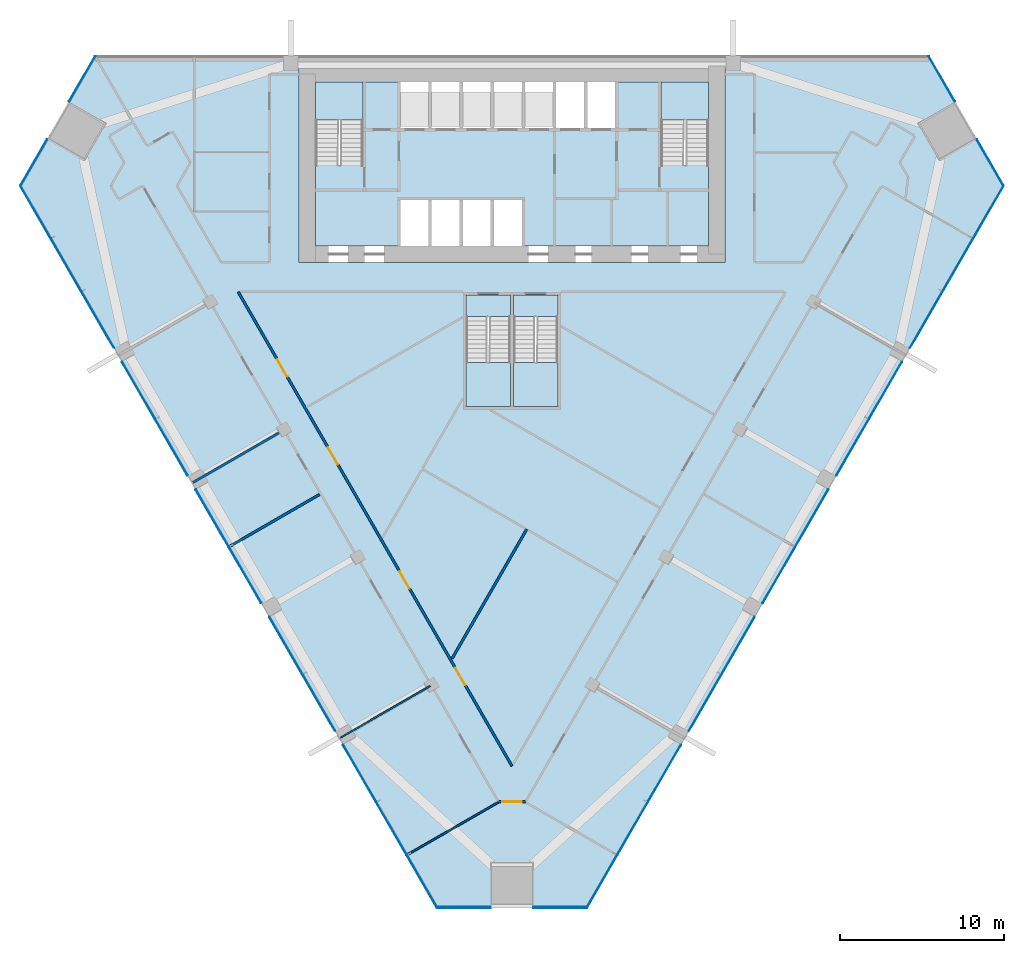
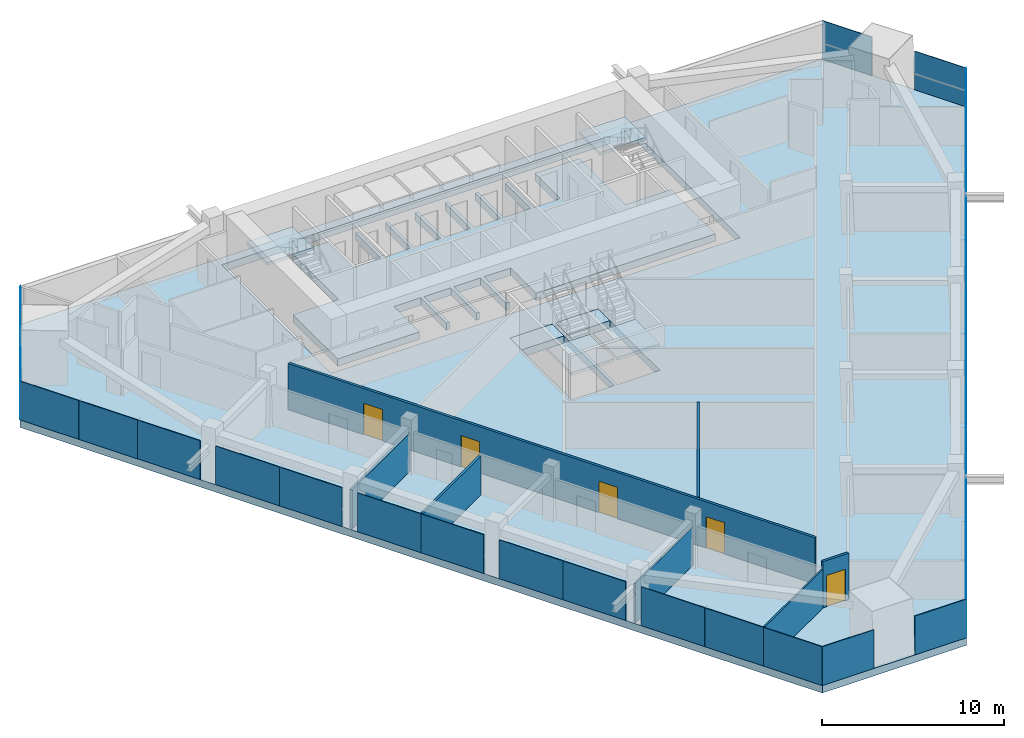
# One storey, part 8 of 13: 30 plates, 8 slabs, 7 walls, 5 doors, 5 openings, 9 elements without a shape of their own.
"""IFC4 building model written with IfcOpenShell, lengths in metres."""

from ifc_helpers import new_model, si_unit, direction, frame, frame_2d, origin, origin_2d, place, context, subcontext, project, spatial, polyline, rectangle, outline, extrude, material, layer, layer_set, type_object, element, fill, aggregate, save


model = new_model("IFC4")

# Units and contexts
model_context = context("Model", 3, precision=1e-05, world=origin(), true_north=direction((0.0, 1.0)))
body_context = subcontext(model_context, "Body", "Model", "MODEL_VIEW")
ifc_project = project(units=[si_unit("LENGTHUNIT", "METRE"), si_unit("AREAUNIT", "SQUARE_METRE"), si_unit("VOLUMEUNIT", "CUBIC_METRE"), si_unit("PLANEANGLEUNIT", "RADIAN"), si_unit("MASSUNIT", "GRAM", prefix="KILO")], contexts=[model_context])

# Site, building, storey
site_placement = place(None, origin())
site = spatial("IfcSite", under=ifc_project, at=site_placement, CompositionType="ELEMENT")
building_placement = place(site_placement, origin())
building = spatial("IfcBuilding", under=site, at=building_placement, Name="Altiplano Prism Tower", CompositionType="ELEMENT")
storey_placement = place(building_placement, frame((0.0, 0.0, 66.60009765625)))
storey = spatial("IfcBuildingStorey", under=building, at=storey_placement, Name="L16", CompositionType="ELEMENT", Elevation=66.60009765625)

# Curtain wall, plates
ifc_material_1 = material(Name="Aluminium and glass", Category="aluminium")
ifc_layer_1 = layer(ifc_material_1, 0.303955078125)
ifc_layer_set_1 = layer_set([ifc_layer_1], Name="Aluminium and glass")
curtain_wall_type = type_object("IfcCurtainWallType", Name="CW2 lounge-band unitised glazing", PredefinedType="NOTDEFINED", material=ifc_layer_set_1)
curtain_wall_1_placement = place(storey_placement, origin())
curtain_wall_1 = element("IfcCurtainWall", 1, at=curtain_wall_1_placement, inside=storey, type_object=curtain_wall_type, Name="CW2 curtain wall north-west chamfer L16", PredefinedType="NOTDEFINED")
ifc_material_2 = material(Name="Clear glass", Category="glass")
ifc_layer_2 = layer(ifc_material_2, 0.0439453125)
ifc_layer_set_2 = layer_set([ifc_layer_2], Name="Clear glass")
plate_type = type_object("IfcPlateType", Name="CW2 insulated glass unit 44", PredefinedType="CURTAIN_PANEL", material=ifc_layer_set_2)
plate_1_placement = place(storey_placement, frame((58.760009765625, 103.604736328125, -0.000244140625), z_axis=(0.0, 0.0, 1.0), x_axis=(-0.499999932693, -0.866025442644, 0.0)))
plate_1 = element("IfcPlate", 2, at=plate_1_placement, type_object=plate_type, Name="CW2 panel", PredefinedType="CURTAIN_PANEL", context=body_context, shape_type="SweptSolid", body=[
    extrude(rectangle(XDim=3.186767578125, YDim=0.0439453125, at=origin_2d()), origin(), (0.0, 0.0, 1.0), 2.60009765625),
])
plate_2_placement = place(storey_placement, frame((55.801513671875, 98.48095703125, -0.000244140625), z_axis=(0.0, 0.0, 1.0), x_axis=(-0.499999932693, -0.866025442644, 0.0)))
plate_2 = element("IfcPlate", 3, at=plate_2_placement, type_object=plate_type, Name="CW2 panel", PredefinedType="CURTAIN_PANEL", context=body_context, shape_type="SweptSolid", body=[
    extrude(rectangle(XDim=3.2666015625, YDim=0.0439453125, at=origin_2d()), origin(), (0.0, 0.0, 1.0), 2.60009765625),
])
aggregate(curtain_wall_1, [plate_1, plate_2])

curtain_wall_2_placement = place(storey_placement, origin())
curtain_wall_2 = element("IfcCurtainWall", 4, at=curtain_wall_2_placement, inside=storey, type_object=curtain_wall_type, Name="CW2 curtain wall south-west face L16", PredefinedType="NOTDEFINED")
plate_3_placement = place(storey_placement, frame((55.9150390625, 95.46875, -0.000244140625), z_axis=(0.0, 0.0, 1.0), x_axis=(0.499999990976, -0.866025408994, 0.0)))
plate_3 = element("IfcPlate", 5, at=plate_3_placement, type_object=plate_type, Name="CW2 panel", PredefinedType="CURTAIN_PANEL", context=body_context, shape_type="SweptSolid", body=[
    extrude(rectangle(XDim=3.719970703125, YDim=0.0439453125, at=origin_2d()), origin(), (0.0, 0.0, 1.0), 2.60009765625),
])
plate_4_placement = place(storey_placement, frame((57.780029296875, 92.238525390625, -0.000244140625), z_axis=(0.0, 0.0, 1.0), x_axis=(0.499999990976, -0.866025408994, 0.0)))
plate_4 = element("IfcPlate", 6, at=plate_4_placement, type_object=plate_type, Name="CW2 panel", PredefinedType="CURTAIN_PANEL", context=body_context, shape_type="SweptSolid", body=[
    extrude(rectangle(XDim=3.719970703125, YDim=0.0439453125, at=origin_2d()), origin(), (0.0, 0.0, 1.0), 2.60009765625),
])
plate_5_placement = place(storey_placement, frame((59.705078125, 88.904052734375, -0.000244140625), z_axis=(0.0, 0.0, 1.0), x_axis=(0.499999990976, -0.866025408994, 0.0)))
plate_5 = element("IfcPlate", 7, at=plate_5_placement, type_object=plate_type, Name="CW2 panel", PredefinedType="CURTAIN_PANEL", context=body_context, shape_type="SweptSolid", body=[
    extrude(rectangle(XDim=3.96044921875, YDim=0.0439453125, at=origin_2d()), origin(), (0.0, 0.0, 1.0), 2.60009765625),
])
plate_6_placement = place(storey_placement, frame((62.2001953125, 84.58251953125, -0.000244140625), z_axis=(0.0, 0.0, 1.0), x_axis=(0.499999990976, -0.866025408994, 0.0)))
plate_6 = element("IfcPlate", 8, at=plate_6_placement, type_object=plate_type, Name="CW2 panel", PredefinedType="CURTAIN_PANEL", context=body_context, shape_type="SweptSolid", body=[
    extrude(rectangle(XDim=4.039306640625, YDim=0.0439453125, at=origin_2d()), origin(), (0.0, 0.0, 1.0), 2.60009765625),
])
plate_7_placement = place(storey_placement, frame((64.205078125, 81.10986328125, -0.000244140625), z_axis=(0.0, 0.0, 1.0), x_axis=(0.499999990976, -0.866025408994, 0.0)))
plate_7 = element("IfcPlate", 9, at=plate_7_placement, type_object=plate_type, Name="CW2 panel", PredefinedType="CURTAIN_PANEL", context=body_context, shape_type="SweptSolid", body=[
    extrude(rectangle(XDim=3.96044921875, YDim=0.0439453125, at=origin_2d()), origin(), (0.0, 0.0, 1.0), 2.60009765625),
])
plate_8_placement = place(storey_placement, frame((66.7001953125, 76.788330078125, -0.000244140625), z_axis=(0.0, 0.0, 1.0), x_axis=(0.499999990976, -0.866025408994, 0.0)))
plate_8 = element("IfcPlate", 10, at=plate_8_placement, type_object=plate_type, Name="CW2 panel", PredefinedType="CURTAIN_PANEL", context=body_context, shape_type="SweptSolid", body=[
    extrude(rectangle(XDim=4.039306640625, YDim=0.0439453125, at=origin_2d()), origin(), (0.0, 0.0, 1.0), 2.60009765625),
])
plate_9_placement = place(storey_placement, frame((68.705078125, 73.315673828125, -0.000244140625), z_axis=(0.0, 0.0, 1.0), x_axis=(0.499999990976, -0.866025408994, 0.0)))
plate_9 = element("IfcPlate", 11, at=plate_9_placement, type_object=plate_type, Name="CW2 panel", PredefinedType="CURTAIN_PANEL", context=body_context, shape_type="SweptSolid", body=[
    extrude(rectangle(XDim=3.96044921875, YDim=0.0439453125, at=origin_2d()), origin(), (0.0, 0.0, 1.0), 2.60009765625),
])
plate_10_placement = place(storey_placement, frame((71.2001953125, 68.994140625, -0.000244140625), z_axis=(0.0, 0.0, 1.0), x_axis=(0.499999990976, -0.866025408994, 0.0)))
plate_10 = element("IfcPlate", 12, at=plate_10_placement, type_object=plate_type, Name="CW2 panel", PredefinedType="CURTAIN_PANEL", context=body_context, shape_type="SweptSolid", body=[
    extrude(rectangle(XDim=4.039306640625, YDim=0.0439453125, at=origin_2d()), origin(), (0.0, 0.0, 1.0), 2.60009765625),
])
plate_11_placement = place(storey_placement, frame((73.205078125, 65.521484375, -0.000244140625), z_axis=(0.0, 0.0, 1.0), x_axis=(0.499999990976, -0.866025408994, 0.0)))
plate_11 = element("IfcPlate", 13, at=plate_11_placement, type_object=plate_type, Name="CW2 panel", PredefinedType="CURTAIN_PANEL", context=body_context, shape_type="SweptSolid", body=[
    extrude(rectangle(XDim=3.96044921875, YDim=0.0439453125, at=origin_2d()), origin(), (0.0, 0.0, 1.0), 2.60009765625),
])
plate_12_placement = place(storey_placement, frame((75.7001953125, 61.199951171875, -0.000244140625), z_axis=(0.0, 0.0, 1.0), x_axis=(0.499999990976, -0.866025408994, 0.0)))
plate_12 = element("IfcPlate", 14, at=plate_12_placement, type_object=plate_type, Name="CW2 panel", PredefinedType="CURTAIN_PANEL", context=body_context, shape_type="SweptSolid", body=[
    extrude(rectangle(XDim=4.039306640625, YDim=0.0439453125, at=origin_2d()), origin(), (0.0, 0.0, 1.0), 2.60009765625),
])
plate_13_placement = place(storey_placement, frame((77.64501953125, 57.831298828125, -0.000244140625), z_axis=(0.0, 0.0, 1.0), x_axis=(0.499999990976, -0.866025408994, 0.0)))
plate_13 = element("IfcPlate", 15, at=plate_13_placement, type_object=plate_type, Name="CW2 panel", PredefinedType="CURTAIN_PANEL", context=body_context, shape_type="SweptSolid", body=[
    extrude(rectangle(XDim=3.719970703125, YDim=0.0439453125, at=origin_2d()), origin(), (0.0, 0.0, 1.0), 2.60009765625),
])
plate_14_placement = place(storey_placement, frame((79.510009765625, 54.60107421875, -0.000244140625), z_axis=(0.0, 0.0, 1.0), x_axis=(0.499999990976, -0.866025408994, 0.0)))
plate_14 = element("IfcPlate", 16, at=plate_14_placement, type_object=plate_type, Name="CW2 panel", PredefinedType="CURTAIN_PANEL", context=body_context, shape_type="SweptSolid", body=[
    extrude(rectangle(XDim=3.719970703125, YDim=0.0439453125, at=origin_2d()), origin(), (0.0, 0.0, 1.0), 2.60009765625),
])
aggregate(curtain_wall_2, [plate_3, plate_4, plate_5, plate_6, plate_7, plate_8, plate_9, plate_10, plate_11, plate_12, plate_13, plate_14])

curtain_wall_3_placement = place(storey_placement, origin())
curtain_wall_3 = element("IfcCurtainWall", 17, at=curtain_wall_3_placement, inside=storey, type_object=curtain_wall_type, Name="CW2 curtain wall south chamfer L16", PredefinedType="NOTDEFINED")
plate_15_placement = place(storey_placement, frame((82.061767578125, 52.9970703125, -0.000244140625), z_axis=(0.0, 0.0, 1.0), x_axis=(1.0, 0.0, 0.0)))
plate_15 = element("IfcPlate", 18, at=plate_15_placement, type_object=plate_type, Name="CW2 panel", PredefinedType="CURTAIN_PANEL", context=body_context, shape_type="SweptSolid", body=[
    extrude(rectangle(XDim=3.2666015625, YDim=0.0439453125, at=origin_2d()), origin(), (0.0, 0.0, 1.0), 2.60009765625),
])
plate_16_placement = place(storey_placement, frame((87.938232421875, 52.9970703125, -0.000244140625), z_axis=(0.0, 0.0, 1.0), x_axis=(1.0, 0.0, 0.0)))
plate_16 = element("IfcPlate", 19, at=plate_16_placement, type_object=plate_type, Name="CW2 panel", PredefinedType="CURTAIN_PANEL", context=body_context, shape_type="SweptSolid", body=[
    extrude(rectangle(XDim=3.2666015625, YDim=0.0439453125, at=origin_2d()), origin(), (0.0, 0.0, 1.0), 2.60009765625),
])
aggregate(curtain_wall_3, [plate_15, plate_16])

curtain_wall_4_placement = place(storey_placement, origin())
curtain_wall_4 = element("IfcCurtainWall", 20, at=curtain_wall_4_placement, inside=storey, type_object=curtain_wall_type, Name="CW2 curtain wall south-east face L16", PredefinedType="NOTDEFINED")
plate_17_placement = place(storey_placement, frame((90.489990234375, 54.60107421875, -0.000244140625), z_axis=(0.0, 0.0, 1.0), x_axis=(0.499999990976, 0.866025408994, 0.0)))
plate_17 = element("IfcPlate", 21, at=plate_17_placement, type_object=plate_type, Name="CW2 panel", PredefinedType="CURTAIN_PANEL", context=body_context, shape_type="SweptSolid", body=[
    extrude(rectangle(XDim=3.719970703125, YDim=0.0439453125, at=origin_2d()), origin(), (0.0, 0.0, 1.0), 2.60009765625),
])
plate_18_placement = place(storey_placement, frame((92.35498046875, 57.831298828125, -0.000244140625), z_axis=(0.0, 0.0, 1.0), x_axis=(0.499999990976, 0.866025408994, 0.0)))
plate_18 = element("IfcPlate", 22, at=plate_18_placement, type_object=plate_type, Name="CW2 panel", PredefinedType="CURTAIN_PANEL", context=body_context, shape_type="SweptSolid", body=[
    extrude(rectangle(XDim=3.719970703125, YDim=0.0439453125, at=origin_2d()), origin(), (0.0, 0.0, 1.0), 2.60009765625),
])
plate_19_placement = place(storey_placement, frame((94.2998046875, 61.199951171875, -0.000244140625), z_axis=(0.0, 0.0, 1.0), x_axis=(0.499999990976, 0.866025408994, 0.0)))
plate_19 = element("IfcPlate", 23, at=plate_19_placement, type_object=plate_type, Name="CW2 panel", PredefinedType="CURTAIN_PANEL", context=body_context, shape_type="SweptSolid", body=[
    extrude(rectangle(XDim=4.039306640625, YDim=0.0439453125, at=origin_2d()), origin(), (0.0, 0.0, 1.0), 2.60009765625),
])
plate_20_placement = place(storey_placement, frame((96.794921875, 65.521484375, -0.000244140625), z_axis=(0.0, 0.0, 1.0), x_axis=(0.499999990976, 0.866025408994, 0.0)))
plate_20 = element("IfcPlate", 24, at=plate_20_placement, type_object=plate_type, Name="CW2 panel", PredefinedType="CURTAIN_PANEL", context=body_context, shape_type="SweptSolid", body=[
    extrude(rectangle(XDim=3.96044921875, YDim=0.0439453125, at=origin_2d()), origin(), (0.0, 0.0, 1.0), 2.60009765625),
])
plate_21_placement = place(storey_placement, frame((98.7998046875, 68.994140625, -0.000244140625), z_axis=(0.0, 0.0, 1.0), x_axis=(0.499999990976, 0.866025408994, 0.0)))
plate_21 = element("IfcPlate", 25, at=plate_21_placement, type_object=plate_type, Name="CW2 panel", PredefinedType="CURTAIN_PANEL", context=body_context, shape_type="SweptSolid", body=[
    extrude(rectangle(XDim=4.039306640625, YDim=0.0439453125, at=origin_2d()), origin(), (0.0, 0.0, 1.0), 2.60009765625),
])
plate_22_placement = place(storey_placement, frame((101.294921875, 73.315673828125, -0.000244140625), z_axis=(0.0, 0.0, 1.0), x_axis=(0.499999990976, 0.866025408994, 0.0)))
plate_22 = element("IfcPlate", 26, at=plate_22_placement, type_object=plate_type, Name="CW2 panel", PredefinedType="CURTAIN_PANEL", context=body_context, shape_type="SweptSolid", body=[
    extrude(rectangle(XDim=3.96044921875, YDim=0.0439453125, at=origin_2d()), origin(), (0.0, 0.0, 1.0), 2.60009765625),
])
plate_23_placement = place(storey_placement, frame((103.2998046875, 76.788330078125, -0.000244140625), z_axis=(0.0, 0.0, 1.0), x_axis=(0.499999990976, 0.866025408994, 0.0)))
plate_23 = element("IfcPlate", 27, at=plate_23_placement, type_object=plate_type, Name="CW2 panel", PredefinedType="CURTAIN_PANEL", context=body_context, shape_type="SweptSolid", body=[
    extrude(rectangle(XDim=4.039306640625, YDim=0.0439453125, at=origin_2d()), origin(), (0.0, 0.0, 1.0), 2.60009765625),
])
plate_24_placement = place(storey_placement, frame((105.794921875, 81.10986328125, -0.000244140625), z_axis=(0.0, 0.0, 1.0), x_axis=(0.499999990976, 0.866025408994, 0.0)))
plate_24 = element("IfcPlate", 28, at=plate_24_placement, type_object=plate_type, Name="CW2 panel", PredefinedType="CURTAIN_PANEL", context=body_context, shape_type="SweptSolid", body=[
    extrude(rectangle(XDim=3.96044921875, YDim=0.0439453125, at=origin_2d()), origin(), (0.0, 0.0, 1.0), 2.60009765625),
])
plate_25_placement = place(storey_placement, frame((107.7998046875, 84.58251953125, -0.000244140625), z_axis=(0.0, 0.0, 1.0), x_axis=(0.499999990976, 0.866025408994, 0.0)))
plate_25 = element("IfcPlate", 29, at=plate_25_placement, type_object=plate_type, Name="CW2 panel", PredefinedType="CURTAIN_PANEL", context=body_context, shape_type="SweptSolid", body=[
    extrude(rectangle(XDim=4.039306640625, YDim=0.0439453125, at=origin_2d()), origin(), (0.0, 0.0, 1.0), 2.60009765625),
])
plate_26_placement = place(storey_placement, frame((110.294921875, 88.904052734375, -0.000244140625), z_axis=(0.0, 0.0, 1.0), x_axis=(0.499999990976, 0.866025408994, 0.0)))
plate_26 = element("IfcPlate", 30, at=plate_26_placement, type_object=plate_type, Name="CW2 panel", PredefinedType="CURTAIN_PANEL", context=body_context, shape_type="SweptSolid", body=[
    extrude(rectangle(XDim=3.96044921875, YDim=0.0439453125, at=origin_2d()), origin(), (0.0, 0.0, 1.0), 2.60009765625),
])
plate_27_placement = place(storey_placement, frame((112.219970703125, 92.238525390625, -0.000244140625), z_axis=(0.0, 0.0, 1.0), x_axis=(0.499999990976, 0.866025408994, 0.0)))
plate_27 = element("IfcPlate", 31, at=plate_27_placement, type_object=plate_type, Name="CW2 panel", PredefinedType="CURTAIN_PANEL", context=body_context, shape_type="SweptSolid", body=[
    extrude(rectangle(XDim=3.719970703125, YDim=0.0439453125, at=origin_2d()), origin(), (0.0, 0.0, 1.0), 2.60009765625),
])
plate_28_placement = place(storey_placement, frame((114.0849609375, 95.46875, -0.000244140625), z_axis=(0.0, 0.0, 1.0), x_axis=(0.499999990976, 0.866025408994, 0.0)))
plate_28 = element("IfcPlate", 32, at=plate_28_placement, type_object=plate_type, Name="CW2 panel", PredefinedType="CURTAIN_PANEL", context=body_context, shape_type="SweptSolid", body=[
    extrude(rectangle(XDim=3.719970703125, YDim=0.0439453125, at=origin_2d()), origin(), (0.0, 0.0, 1.0), 2.60009765625),
])
aggregate(curtain_wall_4, [plate_17, plate_18, plate_19, plate_20, plate_21, plate_22, plate_23, plate_24, plate_25, plate_26, plate_27, plate_28])

curtain_wall_5_placement = place(storey_placement, origin())
curtain_wall_5 = element("IfcCurtainWall", 33, at=curtain_wall_5_placement, inside=storey, type_object=curtain_wall_type, Name="CW2 curtain wall north-east chamfer L16", PredefinedType="NOTDEFINED")
plate_29_placement = place(storey_placement, frame((114.198486328125, 98.48095703125, -0.000244140625), z_axis=(0.0, 0.0, 1.0), x_axis=(-0.499999932693, 0.866025442644, 0.0)))
plate_29 = element("IfcPlate", 34, at=plate_29_placement, type_object=plate_type, Name="CW2 panel", PredefinedType="CURTAIN_PANEL", context=body_context, shape_type="SweptSolid", body=[
    extrude(rectangle(XDim=3.2666015625, YDim=0.0439453125, at=origin_2d()), origin(), (0.0, 0.0, 1.0), 2.60009765625),
])
plate_30_placement = place(storey_placement, frame((111.239990234375, 103.604736328125, -0.000244140625), z_axis=(0.0, 0.0, 1.0), x_axis=(-0.499999932693, 0.866025442644, 0.0)))
plate_30 = element("IfcPlate", 35, at=plate_30_placement, type_object=plate_type, Name="CW2 panel", PredefinedType="CURTAIN_PANEL", context=body_context, shape_type="SweptSolid", body=[
    extrude(rectangle(XDim=3.186767578125, YDim=0.0439453125, at=origin_2d()), origin(), (0.0, 0.0, 1.0), 2.60009765625),
])
aggregate(curtain_wall_5, [plate_29, plate_30])

# Slabs
ifc_material_3 = material(Name="Concrete C40/50", Category="concrete")
ifc_layer_3 = layer(ifc_material_3, 0.5)
ifc_layer_set_3 = layer_set([ifc_layer_3], Name="Concrete C40/50")
slab_type_1 = type_object("IfcSlabType", Name="Core floor slab 500", PredefinedType="FLOOR", material=ifc_layer_set_3)
slab_1_placement = place(storey_placement, frame((0.0, 0.0, -0.5)))
element("IfcSlab", 36, at=slab_1_placement, inside=storey, type_object=slab_type_1, Name="Core floor slab L16", PredefinedType="FLOOR", context=body_context, shape_type="SweptSolid", body=[
    extrude(outline(polyline([(97.0, 98.31005859375), (94.10009765625, 98.31005859375), (94.10009765625, 103.39990234375), (91.300048828125, 103.39990234375), (91.300048828125, 100.60009765625), (89.60009765625, 100.60009765625), (89.60009765625, 103.39990234375), (89.39990234375, 103.39990234375), (89.39990234375, 100.60009765625), (87.699951171875, 100.60009765625), (87.699951171875, 103.39990234375), (87.5, 103.39990234375), (87.5, 100.60009765625), (85.800048828125, 100.60009765625), (85.800048828125, 103.39990234375), (85.60009765625, 103.39990234375), (85.60009765625, 100.60009765625), (83.89990234375, 100.60009765625), (83.89990234375, 103.39990234375), (83.699951171875, 103.39990234375), (83.699951171875, 100.60009765625), (82.0, 100.60009765625), (82.0, 103.39990234375), (81.800048828125, 103.39990234375), (81.800048828125, 100.60009765625), (80.10009765625, 100.60009765625), (80.10009765625, 103.39990234375), (79.89990234375, 103.39990234375), (79.89990234375, 100.60009765625), (78.199951171875, 100.60009765625), (78.199951171875, 103.39990234375), (75.89990234375, 103.39990234375), (75.89990234375, 98.31005859375), (73.0, 98.31005859375), (73.0, 93.39990234375), (78.199951171875, 93.39990234375), (78.199951171875, 96.199951171875), (79.89990234375, 96.199951171875), (79.89990234375, 93.39990234375), (80.10009765625, 93.39990234375), (80.10009765625, 96.199951171875), (81.800048828125, 96.199951171875), (81.800048828125, 93.39990234375), (82.0, 93.39990234375), (82.0, 96.199951171875), (83.699951171875, 96.199951171875), (83.699951171875, 93.39990234375), (83.89990234375, 93.39990234375), (83.89990234375, 96.199951171875), (85.60009765625, 96.199951171875), (85.60009765625, 93.39990234375), (97.0, 93.39990234375), (97.0, 98.31005859375)])), origin(), (0.0, 0.0, 1.0), 0.5),
])
slab_2_placement = place(storey_placement, frame((0.0, 0.0, -0.5)))
element("IfcSlab", 37, at=slab_2_placement, inside=storey, type_object=slab_type_1, Name="Stair 3A landing slab L16", PredefinedType="FLOOR", context=body_context, shape_type="SweptSolid", body=[
    extrude(outline(polyline([(82.199951171875, 89.096923828125), (84.89990234375, 89.096923828125), (84.89990234375, 90.39990234375), (82.199951171875, 90.39990234375), (82.199951171875, 89.096923828125)])), origin(), (0.0, 0.0, 1.0), 0.5),
])
slab_3_placement = place(storey_placement, frame((0.0, 0.0, -0.5)))
element("IfcSlab", 38, at=slab_3_placement, inside=storey, type_object=slab_type_1, Name="Stair 3B landing slab L16", PredefinedType="FLOOR", context=body_context, shape_type="SweptSolid", body=[
    extrude(outline(polyline([(85.10009765625, 89.096923828125), (87.800048828125, 89.096923828125), (87.800048828125, 90.39990234375), (85.10009765625, 90.39990234375), (85.10009765625, 89.096923828125)])), origin(), (0.0, 0.0, 1.0), 0.5),
])
ifc_layer_4 = layer(ifc_material_3, 0.5)
ifc_layer_set_4 = layer_set([ifc_layer_4], Name="Concrete C40/50")
slab_type_2 = type_object("IfcSlabType", Name="Post-tensioned flat slab 500", PredefinedType="FLOOR", material=ifc_layer_set_4)
slab_4_placement = place(storey_placement, frame((0.0, 0.0, -0.5)))
element("IfcSlab", 39, at=slab_4_placement, inside=storey, type_object=slab_type_2, Name="Floor slab L16", PredefinedType="FLOOR", context=body_context, shape_type="SweptSolid", body=[
    extrude(outline(polyline([(80.42333984375, 52.97509765625), (54.96337890625, 97.072998046875), (59.5400390625, 105.0), (110.4599609375, 105.0), (115.03662109375, 97.072998046875), (89.57666015625, 52.97509765625), (80.42333984375, 52.97509765625)]), holes=[polyline([(72.0, 104.39990234375), (72.0, 92.39990234375), (98.0, 92.39990234375), (98.0, 104.39990234375), (72.0, 104.39990234375)]), polyline([(84.89990234375, 90.39990234375), (82.199951171875, 90.39990234375), (82.199951171875, 83.60009765625), (84.89990234375, 83.60009765625), (84.89990234375, 90.39990234375)]), polyline([(87.800048828125, 83.60009765625), (87.800048828125, 90.39990234375), (85.10009765625, 90.39990234375), (85.10009765625, 83.60009765625), (87.800048828125, 83.60009765625)])]), origin(), (0.0, 0.0, 1.0), 0.5),
])

# Stair, slab
stair_type_1 = type_object("IfcStairType", Name="Exit stair 1400", PredefinedType="HALF_TURN_STAIR", material=ifc_material_3)
stair_1_placement = place(storey_placement, origin())
stair_1 = element("IfcStair", 40, at=stair_1_placement, inside=storey, type_object=stair_type_1, Name="L16 Exit Stair 1", PredefinedType="HALF_TURN_STAIR")
ifc_layer_5 = layer(ifc_material_3, 0.199951171875)
ifc_layer_set_5 = layer_set([ifc_layer_5], Name="Concrete C40/50")
slab_type_3 = type_object("IfcSlabType", Name="Stair landing 200", PredefinedType="LANDING", material=ifc_layer_set_5)
slab_5_placement = place(storey_placement, frame((0.0, 0.0, 1.599853515625)))
slab_5 = element("IfcSlab", 41, at=slab_5_placement, type_object=slab_type_3, Name="ST1 landing 1", PredefinedType="LANDING", context=body_context, shape_type="SweptSolid", body=[
    extrude(outline(polyline([(75.89990234375, 101.096923828125), (75.89990234375, 103.39990234375), (73.0, 103.39990234375), (73.0, 101.096923828125), (75.89990234375, 101.096923828125)])), origin(), (0.0, 0.0, 1.0), 0.199951171875),
])
aggregate(stair_1, [slab_5])

stair_2_placement = place(storey_placement, origin())
stair_2 = element("IfcStair", 42, at=stair_2_placement, inside=storey, type_object=stair_type_1, Name="L16 Exit Stair 2", PredefinedType="HALF_TURN_STAIR")
slab_6_placement = place(storey_placement, frame((0.0, 0.0, 1.599853515625)))
slab_6 = element("IfcSlab", 43, at=slab_6_placement, type_object=slab_type_3, Name="ST2 landing 1", PredefinedType="LANDING", context=body_context, shape_type="SweptSolid", body=[
    extrude(outline(polyline([(97.0, 101.096923828125), (97.0, 103.39990234375), (94.10009765625, 103.39990234375), (94.10009765625, 101.096923828125), (97.0, 101.096923828125)])), origin(), (0.0, 0.0, 1.0), 0.199951171875),
])
aggregate(stair_2, [slab_6])

stair_type_2 = type_object("IfcStairType", Name="Exit stair 1300", PredefinedType="HALF_TURN_STAIR", material=ifc_material_3)
stair_3_placement = place(storey_placement, origin())
stair_3 = element("IfcStair", 44, at=stair_3_placement, inside=storey, type_object=stair_type_2, Name="L16 Exit Stair 3A", PredefinedType="HALF_TURN_STAIR")
slab_7_placement = place(storey_placement, frame((0.0, 0.0, 1.599853515625)))
slab_7 = element("IfcSlab", 45, at=slab_7_placement, type_object=slab_type_3, Name="ST3A landing 1", PredefinedType="LANDING", context=body_context, shape_type="SweptSolid", body=[
    extrude(outline(polyline([(82.199951171875, 86.302978515625), (82.199951171875, 83.60009765625), (84.89990234375, 83.60009765625), (84.89990234375, 86.302978515625), (82.199951171875, 86.302978515625)])), origin(), (0.0, 0.0, 1.0), 0.199951171875),
])
aggregate(stair_3, [slab_7])

stair_4_placement = place(storey_placement, origin())
stair_4 = element("IfcStair", 46, at=stair_4_placement, inside=storey, type_object=stair_type_2, Name="L16 Exit Stair 3B", PredefinedType="HALF_TURN_STAIR")
slab_8_placement = place(storey_placement, frame((0.0, 0.0, 1.599853515625)))
slab_8 = element("IfcSlab", 47, at=slab_8_placement, type_object=slab_type_3, Name="ST3B landing 1", PredefinedType="LANDING", context=body_context, shape_type="SweptSolid", body=[
    extrude(outline(polyline([(85.10009765625, 86.302978515625), (85.10009765625, 83.60009765625), (87.800048828125, 83.60009765625), (87.800048828125, 86.302978515625), (85.10009765625, 86.302978515625)])), origin(), (0.0, 0.0, 1.0), 0.199951171875),
])
aggregate(stair_4, [slab_8])

# Walls
ifc_material_4 = material(Name="Plasterboard on steel stud", Category="steel")
ifc_layer_6 = layer(ifc_material_4, 0.10009765625)
ifc_layer_set_6 = layer_set([ifc_layer_6], Name="Plasterboard on steel stud")
wall_type_1 = type_object("IfcWallType", Name="Partition 100 wet", PredefinedType="PARTITIONING", material=ifc_layer_set_6)
wall_1_placement = place(storey_placement, frame((74.530029296875, 63.382568359375, 0.0), z_axis=(0.0, 0.0, 1.0), x_axis=(0.866015887322, 0.500016482634, 0.0)))
element("IfcWall", 48, at=wall_1_placement, inside=storey, type_object=wall_type_1, Name="Partition P03 L16 043", PredefinedType="PARTITIONING", context=body_context, shape_type="SweptSolid", body=[
    extrude(rectangle(XDim=6.324951171875, YDim=0.10009765625, at=frame_2d((3.16259765625, 0.0))), origin(), (0.0, 0.0, 1.0), 2.599853515625),
])
wall_2_placement = place(storey_placement, frame((78.64501953125, 56.25537109375, 0.0), z_axis=(0.0, 0.0, 1.0), x_axis=(0.866028341908, 0.499994910987, 0.0)))
element("IfcWall", 49, at=wall_2_placement, inside=storey, type_object=wall_type_1, Name="Partition P03 L16 044", PredefinedType="PARTITIONING", context=body_context, shape_type="SweptSolid", body=[
    extrude(rectangle(XDim=6.3603515625, YDim=0.10009765625, at=frame_2d((3.18017578125, 0.0))), origin(), (0.0, 0.0, 1.0), 2.599853515625),
])

# Wall, opening, door
ifc_layer_7 = layer(ifc_material_4, 0.14990234375)
ifc_layer_set_7 = layer_set([ifc_layer_7], Name="Plasterboard on steel stud")
wall_type_2 = type_object("IfcWallType", Name="Partition 150 corridor", PredefinedType="PARTITIONING", material=ifc_layer_set_7)
wall_3_placement = place(storey_placement, frame((84.176025390625, 59.47509765625, 0.0), z_axis=(0.0, 0.0, 1.0), x_axis=(1.0, 0.0, 0.0)))
wall_3 = element("IfcWall", 50, at=wall_3_placement, inside=storey, type_object=wall_type_2, Name="Partition P06 L16 015", PredefinedType="PARTITIONING", context=body_context, shape_type="SweptSolid", body=[
    extrude(rectangle(XDim=1.64794921875, YDim=0.14990234375, at=frame_2d((0.823974609375, 0.0))), origin(), (0.0, 0.0, 1.0), 3.099853515625),
])
opening_1_placement = place(wall_3_placement, frame((0.22412109375, 0.0, 0.0)))
opening_1 = element("IfcOpeningElement", 51, at=opening_1_placement, cuts=wall_3, Name="Opening D0632", PredefinedType="OPENING", context=body_context, shape_type="SweptSolid", body=[
    extrude(rectangle(XDim=1.199951171875, YDim=2.10009765625, at=frame_2d((0.60009765625, 1.050048828125))), frame((0.0, 0.08544921875, 0.0), z_axis=(0.0, -1.0, 0.0), x_axis=(1.0, 0.0, 0.0)), (0.0, 0.0, 1.0), 0.1708984375),
])
ifc_material_5 = material(Name="Timber", Category="wood")
door_type = type_object("IfcDoorType", Name="Shared room door 1200 x 2100", OperationType="NOTDEFINED", PredefinedType="NOTDEFINED", material=ifc_material_5)
door_1_placement = place(opening_1_placement, origin())
door_1 = element("IfcDoor", 52, at=door_1_placement, inside=storey, type_object=door_type, Name="Door D0632", OperationType="SINGLE_SWING_LEFT", OverallHeight=2.10009765625, OverallWidth=1.199951171875, PredefinedType="NOTDEFINED", context=body_context, shape_type="SweptSolid", body=[
    extrude(rectangle(XDim=1.199951171875, YDim=2.10009765625, at=frame_2d((0.60009765625, 1.050048828125))), frame((0.0, 0.02490234375, 0.0), z_axis=(0.0, -1.0, 0.0), x_axis=(1.0, 0.0, 0.0)), (0.0, 0.0, 1.0), 0.050048828125),
])
fill(opening_1, door_1)

# Wall, openings, doors
wall_4_placement = place(storey_placement, frame((85.0, 61.64794921875, 0.0), z_axis=(0.0, 0.0, 1.0), x_axis=(-0.499995543135, 0.866027976941, 0.0)))
wall_4 = element("IfcWall", 53, at=wall_4_placement, inside=storey, type_object=wall_type_2, Name="Partition P06 L16 020", PredefinedType="PARTITIONING", context=body_context, shape_type="SweptSolid", body=[
    extrude(rectangle(XDim=33.430908203125, YDim=0.14990234375, at=frame_2d((16.71533203125, 0.0))), origin(), (0.0, 0.0, 1.0), 3.099853515625),
])
opening_2_placement = place(wall_4_placement, frame((5.718994140625, 0.0, 0.0)))
opening_2 = element("IfcOpeningElement", 54, at=opening_2_placement, cuts=wall_4, Name="Opening D0637", PredefinedType="OPENING", context=body_context, shape_type="SweptSolid", body=[
    extrude(rectangle(XDim=1.199951171875, YDim=2.10009765625, at=frame_2d((0.60009765625, 1.050048828125))), frame((0.0, 0.08544921875, 0.0), z_axis=(0.0, -1.0, 0.0), x_axis=(1.0, 0.0, 0.0)), (0.0, 0.0, 1.0), 0.1708984375),
])
opening_3_placement = place(wall_4_placement, frame((21.26904296875, 0.0, 0.0)))
opening_3 = element("IfcOpeningElement", 55, at=opening_3_placement, cuts=wall_4, Name="Opening D0640", PredefinedType="OPENING", context=body_context, shape_type="SweptSolid", body=[
    extrude(rectangle(XDim=1.199951171875, YDim=2.10009765625, at=frame_2d((0.60009765625, 1.050048828125))), frame((0.0, 0.08544921875, 0.0), z_axis=(0.0, -1.0, 0.0), x_axis=(1.0, 0.0, 0.0)), (0.0, 0.0, 1.0), 0.1708984375),
])
opening_4_placement = place(wall_4_placement, frame((27.4541015625, 0.0, 0.0)))
opening_4 = element("IfcOpeningElement", 56, at=opening_4_placement, cuts=wall_4, Name="Opening D0642", PredefinedType="OPENING", context=body_context, shape_type="SweptSolid", body=[
    extrude(rectangle(XDim=1.199951171875, YDim=2.10009765625, at=frame_2d((0.60009765625, 1.050048828125))), frame((0.0, 0.08544921875, 0.0), z_axis=(0.0, -1.0, 0.0), x_axis=(1.0, 0.0, 0.0)), (0.0, 0.0, 1.0), 0.1708984375),
])
opening_5_placement = place(wall_4_placement, frame((12.512939453125, 0.0, 0.0)))
opening_5 = element("IfcOpeningElement", 57, at=opening_5_placement, cuts=wall_4, Name="Opening D0644", PredefinedType="OPENING", context=body_context, shape_type="SweptSolid", body=[
    extrude(rectangle(XDim=1.199951171875, YDim=2.10009765625, at=frame_2d((0.60009765625, 1.050048828125))), frame((0.0, 0.08544921875, 0.0), z_axis=(0.0, -1.0, 0.0), x_axis=(1.0, 0.0, 0.0)), (0.0, 0.0, 1.0), 0.1708984375),
])
door_2_placement = place(opening_2_placement, origin())
door_2 = element("IfcDoor", 58, at=door_2_placement, inside=storey, type_object=door_type, Name="Door D0637", OperationType="SINGLE_SWING_RIGHT", OverallHeight=2.10009765625, OverallWidth=1.199951171875, PredefinedType="NOTDEFINED", context=body_context, shape_type="SweptSolid", body=[
    extrude(rectangle(XDim=1.199951171875, YDim=2.10009765625, at=frame_2d((0.60009765625, 1.050048828125))), frame((0.0, 0.02490234375, 0.0), z_axis=(0.0, -1.0, 0.0), x_axis=(1.0, 0.0, 0.0)), (0.0, 0.0, 1.0), 0.050048828125),
])
fill(opening_2, door_2)
door_3_placement = place(opening_3_placement, origin())
door_3 = element("IfcDoor", 59, at=door_3_placement, inside=storey, type_object=door_type, Name="Door D0640", OperationType="SINGLE_SWING_LEFT", OverallHeight=2.10009765625, OverallWidth=1.199951171875, PredefinedType="NOTDEFINED", context=body_context, shape_type="SweptSolid", body=[
    extrude(rectangle(XDim=1.199951171875, YDim=2.10009765625, at=frame_2d((0.60009765625, 1.050048828125))), frame((0.0, 0.02490234375, 0.0), z_axis=(0.0, -1.0, 0.0), x_axis=(1.0, 0.0, 0.0)), (0.0, 0.0, 1.0), 0.050048828125),
])
fill(opening_3, door_3)
door_4_placement = place(opening_4_placement, origin())
door_4 = element("IfcDoor", 60, at=door_4_placement, inside=storey, type_object=door_type, Name="Door D0642", OperationType="SINGLE_SWING_LEFT", OverallHeight=2.10009765625, OverallWidth=1.199951171875, PredefinedType="NOTDEFINED", context=body_context, shape_type="SweptSolid", body=[
    extrude(rectangle(XDim=1.199951171875, YDim=2.10009765625, at=frame_2d((0.60009765625, 1.050048828125))), frame((0.0, 0.02490234375, 0.0), z_axis=(0.0, -1.0, 0.0), x_axis=(1.0, 0.0, 0.0)), (0.0, 0.0, 1.0), 0.050048828125),
])
fill(opening_4, door_4)
door_5_placement = place(opening_5_placement, origin())
door_5 = element("IfcDoor", 61, at=door_5_placement, inside=storey, type_object=door_type, Name="Door D0644", OperationType="SINGLE_SWING_LEFT", OverallHeight=2.10009765625, OverallWidth=1.199951171875, PredefinedType="NOTDEFINED", context=body_context, shape_type="SweptSolid", body=[
    extrude(rectangle(XDim=1.199951171875, YDim=2.10009765625, at=frame_2d((0.60009765625, 1.050048828125))), frame((0.0, 0.02490234375, 0.0), z_axis=(0.0, -1.0, 0.0), x_axis=(1.0, 0.0, 0.0)), (0.0, 0.0, 1.0), 0.050048828125),
])
fill(opening_5, door_5)

# Walls
ifc_layer_8 = layer(ifc_material_4, 0.14990234375)
ifc_layer_set_8 = layer_set([ifc_layer_8], Name="Plasterboard on steel stud")
wall_type_3 = type_object("IfcWallType", Name="Partition 150 party", PredefinedType="PARTITIONING", material=ifc_layer_set_8)
for number, where, z_axis, x_axis, name in (
    (62, (65.530029296875, 78.97119140625, 0.0), (0.0, 0.0, 1.0), (0.866032601554, 0.49998753289, 0.0), "Partition P01 L16 041"),
    (63, (67.780029296875, 75.073974609375, 0.0), (0.0, 0.0, 1.0), (0.866015887322, 0.500016482634, 0.0), "Partition P01 L16 042"),
):
    element("IfcWall", number, at=place(storey_placement, frame(where, z_axis=z_axis, x_axis=x_axis)), inside=storey, type_object=wall_type_3, Name=name, PredefinedType="PARTITIONING", context=body_context, shape_type="SweptSolid", body=[
        extrude(rectangle(XDim=6.324951171875, YDim=0.14990234375, at=frame_2d((3.16259765625, 0.0))), origin(), (0.0, 0.0, 1.0), 2.599853515625),
    ])
wall_5_placement = place(storey_placement, frame((85.898193359375, 76.105224609375, 0.0), z_axis=(0.0, 0.0, 1.0), x_axis=(-0.499999124091, -0.86602590949, 0.0)))
element("IfcWall", 64, at=wall_5_placement, inside=storey, type_object=wall_type_3, Name="Partition P01 L16 051", PredefinedType="PARTITIONING", context=body_context, shape_type="SweptSolid", body=[
    extrude(rectangle(XDim=9.115234375, YDim=0.14990234375, at=frame_2d((4.5576171875, 0.0))), origin(), (0.0, 0.0, 1.0), 3.099853515625),
])

save(model, "model.ifc")
